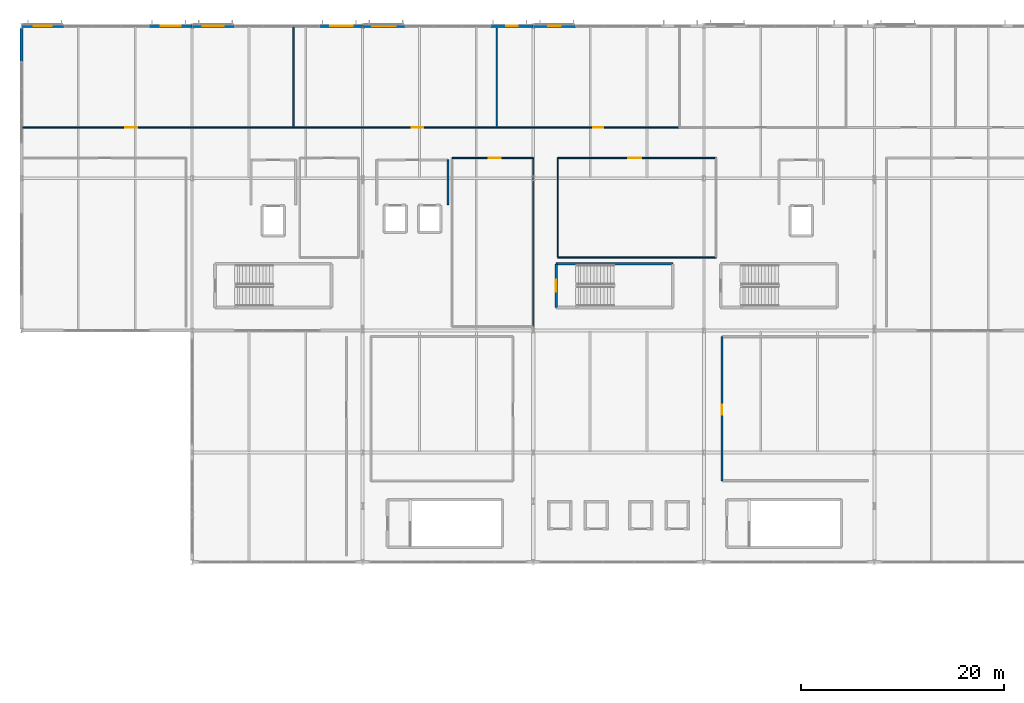
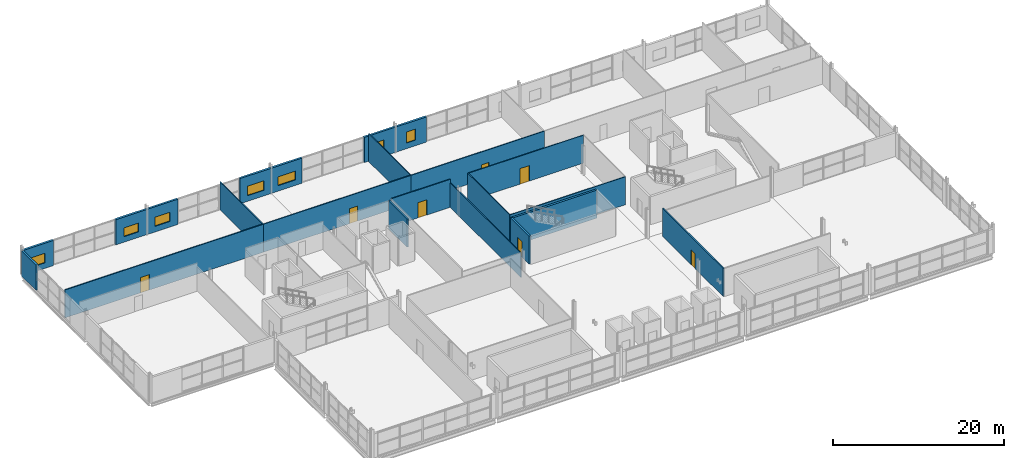
# One storey, part 32 of 39: 22 walls, 7 doors, 7 windows, 14 openings.
"""IFC4 building model written with IfcOpenShell, lengths in metres."""

from ifc_helpers import new_model, si_unit, direction, frame, frame_2d, origin, place, context, subcontext, project, spatial, rectangle, extrude, material, layer, layer_set, type_object, element, fill, save


model = new_model("IFC4")

# Units and contexts
model_context = context("Model", 3, precision=1e-05, world=origin(), true_north=direction((0.0, 1.0)))
body_context = subcontext(model_context, "Body", "Model", "MODEL_VIEW")
ifc_project = project(units=[si_unit("LENGTHUNIT", "METRE"), si_unit("AREAUNIT", "SQUARE_METRE"), si_unit("VOLUMEUNIT", "CUBIC_METRE"), si_unit("PLANEANGLEUNIT", "RADIAN"), si_unit("MASSUNIT", "GRAM", prefix="KILO")], contexts=[model_context])

# Site, building, storey
site_placement = place(None, origin())
site = spatial("IfcSite", under=ifc_project, at=site_placement, CompositionType="ELEMENT")
building_placement = place(site_placement, origin())
building = spatial("IfcBuilding", under=site, at=building_placement, Name="Kimbaza Rail Terminus", CompositionType="ELEMENT")
storey_placement = place(building_placement, frame((0.0, 0.0, 16.800048828125)))
storey = spatial("IfcBuildingStorey", under=building, at=storey_placement, Name="L03", CompositionType="ELEMENT", Elevation=16.800048828125)

# Wall, opening, window
ifc_material_1 = material(Name="Precast concrete C40/50", Category="concrete")
ifc_layer_1 = layer(ifc_material_1, 0.280029296875)
ifc_layer_set_1 = layer_set([ifc_layer_1], Name="Precast concrete C40/50")
wall_type_1 = type_object("IfcWallType", Name="ARC-WL-EXT280", PredefinedType="STANDARD", material=ifc_layer_set_1)
wall_1_placement = place(storey_placement, frame((55.199951171875, 133.0, 0.0), z_axis=(0.0, 0.0, 1.0), x_axis=(1.0, 0.0, 0.0)))
wall_1 = element("IfcWall", 1, at=wall_1_placement, inside=storey, type_object=wall_type_1, Name="Operations North Pier L03 0A", PredefinedType="STANDARD", context=body_context, shape_type="SweptSolid", body=[
    extrude(rectangle(XDim=4.199951171875, YDim=0.280029296875, at=frame_2d((2.10009765625, 0.0))), origin(), (0.0, 0.0, 1.0), 3.60498046875),
])
opening_1_placement = place(wall_1_placement, frame((1.199951171875, 0.0, 0.800048828125)))
opening_1 = element("IfcOpeningElement", 2, at=opening_1_placement, cuts=wall_1, Name="Opening W-32", PredefinedType="OPENING", context=body_context, shape_type="SweptSolid", body=[
    extrude(rectangle(XDim=1.800048828125, YDim=1.3701171875, at=frame_2d((0.89990234375, 0.68505859375))), frame((0.0, 0.14990234375, 0.0), z_axis=(0.0, -1.0, 0.0), x_axis=(1.0, 0.0, 0.0)), (0.0, 0.0, 1.0), 0.300048828125),
])
ifc_material_2 = material(Name="Thermally broken aluminium and solar low-E glass", Category="aluminium")
window_type_1 = type_object("IfcWindowType", Name="ARC-WIN-W-32", PartitioningType="SINGLE_PANEL", PredefinedType="WINDOW", material=ifc_material_2)
window_1_placement = place(opening_1_placement, origin())
window_1 = element("IfcWindow", 3, at=window_1_placement, inside=storey, type_object=window_type_1, Name="North Facade Window W-32", OverallHeight=1.3701171875, OverallWidth=1.800048828125, PartitioningType="SINGLE_PANEL", PredefinedType="WINDOW", context=body_context, shape_type="SweptSolid", body=[
    extrude(rectangle(XDim=1.800048828125, YDim=1.3701171875, at=frame_2d((0.89990234375, 0.68505859375))), frame((0.0, 0.030029296875, 0.0), z_axis=(0.0, -1.0, 0.0), x_axis=(1.0, 0.0, 0.0)), (0.0, 0.0, 1.0), 0.06005859375),
])
fill(opening_1, window_1)

wall_2_placement = place(storey_placement, frame((67.800048828125, 133.0, 0.0), z_axis=(0.0, 0.0, 1.0), x_axis=(1.0, 0.0, 0.0)))
wall_2 = element("IfcWall", 4, at=wall_2_placement, inside=storey, type_object=wall_type_1, Name="Operations North Pier L03 0B", PredefinedType="STANDARD", context=body_context, shape_type="SweptSolid", body=[
    extrude(rectangle(XDim=4.199951171875, YDim=0.280029296875, at=frame_2d((2.10009765625, 0.0))), origin(), (0.0, 0.0, 1.0), 3.60498046875),
])
opening_2_placement = place(wall_2_placement, frame((1.1298828125, 0.0, 0.800048828125)))
opening_2 = element("IfcOpeningElement", 5, at=opening_2_placement, cuts=wall_2, Name="Opening W-33", PredefinedType="OPENING", context=body_context, shape_type="SweptSolid", body=[
    extrude(rectangle(XDim=1.93994140625, YDim=1.25, at=frame_2d((0.969970703125, 0.625))), frame((0.0, 0.14990234375, 0.0), z_axis=(0.0, -1.0, 0.0), x_axis=(1.0, 0.0, 0.0)), (0.0, 0.0, 1.0), 0.300048828125),
])
ifc_material_3 = material(Name="Thermally broken aluminium and solar low-E glass", Category="aluminium")
window_type_2 = type_object("IfcWindowType", Name="ARC-WIN-W-33", PartitioningType="SINGLE_PANEL", PredefinedType="WINDOW", material=ifc_material_3)
window_2_placement = place(opening_2_placement, origin())
window_2 = element("IfcWindow", 6, at=window_2_placement, inside=storey, type_object=window_type_2, Name="North Facade Window W-33", OverallHeight=1.25, OverallWidth=1.93994140625, PartitioningType="SINGLE_PANEL", PredefinedType="WINDOW", context=body_context, shape_type="SweptSolid", body=[
    extrude(rectangle(XDim=1.93994140625, YDim=1.25, at=frame_2d((0.969970703125, 0.625))), frame((0.0, 0.030029296875, 0.0), z_axis=(0.0, -1.0, 0.0), x_axis=(1.0, 0.0, 0.0)), (0.0, 0.0, 1.0), 0.06005859375),
])
fill(opening_2, window_2)

wall_3_placement = place(storey_placement, frame((72.0, 133.0, 0.0), z_axis=(0.0, 0.0, 1.0), x_axis=(1.0, 0.0, 0.0)))
wall_3 = element("IfcWall", 7, at=wall_3_placement, inside=storey, type_object=wall_type_1, Name="Operations North Pier L03 1A", PredefinedType="STANDARD", context=body_context, shape_type="SweptSolid", body=[
    extrude(rectangle(XDim=4.199951171875, YDim=0.280029296875, at=frame_2d((2.10009765625, 0.0))), origin(), (0.0, 0.0, 1.0), 3.60498046875),
])
opening_3_placement = place(wall_3_placement, frame((1.06005859375, 0.0, 0.800048828125)))
opening_3 = element("IfcOpeningElement", 8, at=opening_3_placement, cuts=wall_3, Name="Opening W-34", PredefinedType="OPENING", context=body_context, shape_type="SweptSolid", body=[
    extrude(rectangle(XDim=2.080078125, YDim=1.31005859375, at=frame_2d((1.0400390625, 0.655029296875))), frame((0.0, 0.14990234375, 0.0), z_axis=(0.0, -1.0, 0.0), x_axis=(1.0, 0.0, 0.0)), (0.0, 0.0, 1.0), 0.300048828125),
])
ifc_material_4 = material(Name="Thermally broken aluminium and solar low-E glass", Category="aluminium")
window_type_3 = type_object("IfcWindowType", Name="ARC-WIN-W-34", PartitioningType="SINGLE_PANEL", PredefinedType="WINDOW", material=ifc_material_4)
window_3_placement = place(opening_3_placement, origin())
window_3 = element("IfcWindow", 9, at=window_3_placement, inside=storey, type_object=window_type_3, Name="North Facade Window W-34", OverallHeight=1.31005859375, OverallWidth=2.080078125, PartitioningType="SINGLE_PANEL", PredefinedType="WINDOW", context=body_context, shape_type="SweptSolid", body=[
    extrude(rectangle(XDim=2.080078125, YDim=1.31005859375, at=frame_2d((1.0400390625, 0.655029296875))), frame((0.0, 0.030029296875, 0.0), z_axis=(0.0, -1.0, 0.0), x_axis=(1.0, 0.0, 0.0)), (0.0, 0.0, 1.0), 0.06005859375),
])
fill(opening_3, window_3)

wall_4_placement = place(storey_placement, frame((84.60009765625, 133.0, 0.0), z_axis=(0.0, 0.0, 1.0), x_axis=(1.0, 0.0, 0.0)))
wall_4 = element("IfcWall", 10, at=wall_4_placement, inside=storey, type_object=wall_type_1, Name="Operations North Pier L03 1B", PredefinedType="STANDARD", context=body_context, shape_type="SweptSolid", body=[
    extrude(rectangle(XDim=4.199951171875, YDim=0.280029296875, at=frame_2d((2.10009765625, 0.0))), origin(), (0.0, 0.0, 1.0), 3.60498046875),
])
opening_4_placement = place(wall_4_placement, frame((0.989990234375, 0.0, 0.800048828125)))
opening_4 = element("IfcOpeningElement", 11, at=opening_4_placement, cuts=wall_4, Name="Opening W-35", PredefinedType="OPENING", context=body_context, shape_type="SweptSolid", body=[
    extrude(rectangle(XDim=2.219970703125, YDim=1.3701171875, at=frame_2d((1.10986328125, 0.68505859375))), frame((0.0, 0.14990234375, 0.0), z_axis=(0.0, -1.0, 0.0), x_axis=(1.0, 0.0, 0.0)), (0.0, 0.0, 1.0), 0.300048828125),
])
ifc_material_5 = material(Name="Thermally broken aluminium and solar low-E glass", Category="aluminium")
window_type_4 = type_object("IfcWindowType", Name="ARC-WIN-W-35", PartitioningType="SINGLE_PANEL", PredefinedType="WINDOW", material=ifc_material_5)
window_4_placement = place(opening_4_placement, origin())
window_4 = element("IfcWindow", 12, at=window_4_placement, inside=storey, type_object=window_type_4, Name="North Facade Window W-35", OverallHeight=1.3701171875, OverallWidth=2.219970703125, PartitioningType="SINGLE_PANEL", PredefinedType="WINDOW", context=body_context, shape_type="SweptSolid", body=[
    extrude(rectangle(XDim=2.219970703125, YDim=1.3701171875, at=frame_2d((1.10986328125, 0.68505859375))), frame((0.0, 0.030029296875, 0.0), z_axis=(0.0, -1.0, 0.0), x_axis=(1.0, 0.0, 0.0)), (0.0, 0.0, 1.0), 0.06005859375),
])
fill(opening_4, window_4)

wall_5_placement = place(storey_placement, frame((88.800048828125, 133.0, 0.0), z_axis=(0.0, 0.0, 1.0), x_axis=(1.0, 0.0, 0.0)))
wall_5 = element("IfcWall", 13, at=wall_5_placement, inside=storey, type_object=wall_type_1, Name="Operations North Pier L03 2A", PredefinedType="STANDARD", context=body_context, shape_type="SweptSolid", body=[
    extrude(rectangle(XDim=4.199951171875, YDim=0.280029296875, at=frame_2d((2.10009765625, 0.0))), origin(), (0.0, 0.0, 1.0), 3.60498046875),
])
opening_5_placement = place(wall_5_placement, frame((0.919921875, 0.0, 0.800048828125)))
opening_5 = element("IfcOpeningElement", 14, at=opening_5_placement, cuts=wall_5, Name="Opening W-36", PredefinedType="OPENING", context=body_context, shape_type="SweptSolid", body=[
    extrude(rectangle(XDim=2.360107421875, YDim=1.25, at=frame_2d((1.18017578125, 0.625))), frame((0.0, 0.14990234375, 0.0), z_axis=(0.0, -1.0, 0.0), x_axis=(1.0, 0.0, 0.0)), (0.0, 0.0, 1.0), 0.300048828125),
])
ifc_material_6 = material(Name="Thermally broken aluminium and solar low-E glass", Category="aluminium")
window_type_5 = type_object("IfcWindowType", Name="ARC-WIN-W-36", PartitioningType="SINGLE_PANEL", PredefinedType="WINDOW", material=ifc_material_6)
window_5_placement = place(opening_5_placement, origin())
window_5 = element("IfcWindow", 15, at=window_5_placement, inside=storey, type_object=window_type_5, Name="North Facade Window W-36", OverallHeight=1.25, OverallWidth=2.360107421875, PartitioningType="SINGLE_PANEL", PredefinedType="WINDOW", context=body_context, shape_type="SweptSolid", body=[
    extrude(rectangle(XDim=2.360107421875, YDim=1.25, at=frame_2d((1.18017578125, 0.625))), frame((0.0, 0.030029296875, 0.0), z_axis=(0.0, -1.0, 0.0), x_axis=(1.0, 0.0, 0.0)), (0.0, 0.0, 1.0), 0.06005859375),
])
fill(opening_5, window_5)

wall_6_placement = place(storey_placement, frame((101.39990234375, 133.0, 0.0), z_axis=(0.0, 0.0, 1.0), x_axis=(1.0, 0.0, 0.0)))
wall_6 = element("IfcWall", 16, at=wall_6_placement, inside=storey, type_object=wall_type_1, Name="Operations North Pier L03 2B", PredefinedType="STANDARD", context=body_context, shape_type="SweptSolid", body=[
    extrude(rectangle(XDim=4.2001953125, YDim=0.280029296875, at=frame_2d((2.10009765625, 0.0))), origin(), (0.0, 0.0, 1.0), 3.60498046875),
])
opening_6_placement = place(wall_6_placement, frame((1.550048828125, 0.0, 0.800048828125)))
opening_6 = element("IfcOpeningElement", 17, at=opening_6_placement, cuts=wall_6, Name="Opening W-37", PredefinedType="OPENING", context=body_context, shape_type="SweptSolid", body=[
    extrude(rectangle(XDim=1.10009765625, YDim=1.530029296875, at=frame_2d((0.550048828125, 0.76513671875))), frame((0.0, 0.14990234375, 0.0), z_axis=(0.0, -1.0, 0.0), x_axis=(1.0, 0.0, 0.0)), (0.0, 0.0, 1.0), 0.300048828125),
])
ifc_material_7 = material(Name="Thermally broken aluminium and solar low-E glass", Category="aluminium")
window_type_6 = type_object("IfcWindowType", Name="ARC-WIN-W-37", PartitioningType="SINGLE_PANEL", PredefinedType="WINDOW", material=ifc_material_7)
window_6_placement = place(opening_6_placement, origin())
window_6 = element("IfcWindow", 18, at=window_6_placement, inside=storey, type_object=window_type_6, Name="North Facade Window W-37", OverallHeight=1.530029296875, OverallWidth=1.10009765625, PartitioningType="SINGLE_PANEL", PredefinedType="WINDOW", context=body_context, shape_type="SweptSolid", body=[
    extrude(rectangle(XDim=1.10009765625, YDim=1.530029296875, at=frame_2d((0.550048828125, 0.76513671875))), frame((0.0, 0.030029296875, 0.0), z_axis=(0.0, -1.0, 0.0), x_axis=(1.0, 0.0, 0.0)), (0.0, 0.0, 1.0), 0.06005859375),
])
fill(opening_6, window_6)

wall_7_placement = place(storey_placement, frame((105.60009765625, 133.0, 0.0), z_axis=(0.0, 0.0, 1.0), x_axis=(1.0, 0.0, 0.0)))
wall_7 = element("IfcWall", 19, at=wall_7_placement, inside=storey, type_object=wall_type_1, Name="Operations North Pier L03 3A", PredefinedType="STANDARD", context=body_context, shape_type="SweptSolid", body=[
    extrude(rectangle(XDim=4.199951171875, YDim=0.280029296875, at=frame_2d((2.10009765625, 0.0))), origin(), (0.0, 0.0, 1.0), 3.60498046875),
])
opening_7_placement = place(wall_7_placement, frame((1.47998046875, 0.0, 0.800048828125)))
opening_7 = element("IfcOpeningElement", 20, at=opening_7_placement, cuts=wall_7, Name="Opening W-38", PredefinedType="OPENING", context=body_context, shape_type="SweptSolid", body=[
    extrude(rectangle(XDim=1.239990234375, YDim=1.590087890625, at=frame_2d((0.6201171875, 0.794921875))), frame((0.0, 0.14990234375, 0.0), z_axis=(0.0, -1.0, 0.0), x_axis=(1.0, 0.0, 0.0)), (0.0, 0.0, 1.0), 0.300048828125),
])
ifc_material_8 = material(Name="Thermally broken aluminium and solar low-E glass", Category="aluminium")
window_type_7 = type_object("IfcWindowType", Name="ARC-WIN-W-38", PartitioningType="SINGLE_PANEL", PredefinedType="WINDOW", material=ifc_material_8)
window_7_placement = place(opening_7_placement, origin())
window_7 = element("IfcWindow", 21, at=window_7_placement, inside=storey, type_object=window_type_7, Name="North Facade Window W-38", OverallHeight=1.590087890625, OverallWidth=1.239990234375, PartitioningType="SINGLE_PANEL", PredefinedType="WINDOW", context=body_context, shape_type="SweptSolid", body=[
    extrude(rectangle(XDim=1.239990234375, YDim=1.590087890625, at=frame_2d((0.6201171875, 0.794921875))), frame((0.0, 0.030029296875, 0.0), z_axis=(0.0, -1.0, 0.0), x_axis=(1.0, 0.0, 0.0)), (0.0, 0.0, 1.0), 0.06005859375),
])
fill(opening_7, window_7)

# Walls
wall_8_placement = place(storey_placement, frame((55.199951171875, 129.5, 0.0), z_axis=(0.0, 0.0, 1.0), x_axis=(0.0, 1.0, 0.0)))
element("IfcWall", 22, at=wall_8_placement, inside=storey, type_object=wall_type_1, Name="Operations W Corner Wall L03", PredefinedType="STANDARD", context=body_context, shape_type="SweptSolid", body=[
    extrude(rectangle(XDim=3.360107421875, YDim=0.280029296875, at=frame_2d((1.68017578125, 0.0))), origin(), (0.0, 0.0, 1.0), 3.60498046875),
])
ifc_material_9 = material(Name="Concrete blockwork C30/37", Category="masonry")
ifc_layer_2 = layer(ifc_material_9, 0.179931640625)
ifc_layer_set_2 = layer_set([ifc_layer_2], Name="Concrete blockwork C30/37")
wall_type_2 = type_object("IfcWallType", Name="ARC-WL-FIRE180", PredefinedType="PARTITIONING", material=ifc_layer_set_2)
wall_9_placement = place(storey_placement, frame((97.199951171875, 115.39990234375, 0.0), z_axis=(0.0, 0.0, 1.0), x_axis=(0.0, 1.0, 0.0)))
element("IfcWall", 23, at=wall_9_placement, inside=storey, type_object=wall_type_2, Name="Operations Lift Lobby L03 Partition (east)", PredefinedType="PARTITIONING", context=body_context, shape_type="SweptSolid", body=[
    extrude(rectangle(XDim=4.400146484375, YDim=0.179931640625, at=frame_2d((2.2001953125, 0.0))), origin(), (0.0, 0.0, 1.0), 4.0),
])
ifc_material_10 = material(Name="Demountable acoustic glass wall", Category="glass")
ifc_layer_3 = layer(ifc_material_10, 0.110107421875)
ifc_layer_set_3 = layer_set([ifc_layer_3], Name="Demountable acoustic glass wall")
wall_type_3 = type_object("IfcWallType", Name="ARC-WL-MOV110", PredefinedType="MOVABLE", material=ifc_layer_set_3)
wall_10_placement = place(storey_placement, frame((108.0, 110.199951171875, 0.0), z_axis=(0.0, 0.0, 1.0), x_axis=(1.0, 0.0, 0.0)))
element("IfcWall", 24, at=wall_10_placement, inside=storey, type_object=wall_type_3, Name="L03 Rolling Stock Rostering Studio Partition (south)", PredefinedType="MOVABLE", context=body_context, shape_type="SweptSolid", body=[
    extrude(rectangle(XDim=15.60009765625, YDim=0.110107421875, at=frame_2d((7.800048828125, 0.0))), origin(), (0.0, 0.0, 1.0), 4.0),
])

# Wall, opening, door
wall_11_placement = place(storey_placement, frame((123.60009765625, 120.0, 0.0), z_axis=(0.0, 0.0, 1.0), x_axis=(-1.0, 0.0, 0.0)))
wall_11 = element("IfcWall", 25, at=wall_11_placement, inside=storey, type_object=wall_type_3, Name="L03 Rolling Stock Rostering Studio Partition (north)", PredefinedType="MOVABLE", context=body_context, shape_type="SweptSolid", body=[
    extrude(rectangle(XDim=15.60009765625, YDim=0.110107421875, at=frame_2d((7.800048828125, 0.0))), origin(), (0.0, 0.0, 1.0), 4.0),
])
opening_8_placement = place(wall_11_placement, frame((7.360107421875, 0.0, 0.0)))
opening_8 = element("IfcOpeningElement", 26, at=opening_8_placement, cuts=wall_11, Name="Opening ID-12", PredefinedType="OPENING", context=body_context, shape_type="SweptSolid", body=[
    extrude(rectangle(XDim=1.280029296875, YDim=2.219970703125, at=frame_2d((0.64013671875, 1.10986328125))), frame((0.0, 0.06494140625, 0.0), z_axis=(0.0, -1.0, 0.0), x_axis=(1.0, 0.0, 0.0)), (0.0, 0.0, 1.0), 0.130126953125),
])
ifc_material_11 = material(Name="Engineering studio double-seal door", Category="wood")
door_type_1 = type_object("IfcDoorType", Name="ARC-DR-ID128", OperationType="NOTDEFINED", PredefinedType="DOOR", material=ifc_material_11)
door_1_placement = place(opening_8_placement, origin())
door_1 = element("IfcDoor", 27, at=door_1_placement, inside=storey, type_object=door_type_1, Name="IDR-SPC-V5S-L03-4", OperationType="SINGLE_SWING_LEFT", OverallHeight=2.219970703125, OverallWidth=1.280029296875, PredefinedType="DOOR", context=body_context, shape_type="SweptSolid", body=[
    extrude(rectangle(XDim=1.280029296875, YDim=2.219970703125, at=frame_2d((0.64013671875, 1.10986328125))), frame((0.0, 0.02490234375, 0.0), z_axis=(0.0, -1.0, 0.0), x_axis=(1.0, 0.0, 0.0)), (0.0, 0.0, 1.0), 0.050048828125),
])
fill(opening_8, door_1)

# Wall
wall_12_placement = place(storey_placement, frame((108.0, 120.0, 0.0), z_axis=(0.0, 0.0, 1.0), x_axis=(0.0, -1.0, 0.0)))
element("IfcWall", 28, at=wall_12_placement, inside=storey, type_object=wall_type_3, Name="L03 Rolling Stock Rostering Studio Partition (west)", PredefinedType="MOVABLE", context=body_context, shape_type="SweptSolid", body=[
    extrude(rectangle(XDim=9.800048828125, YDim=0.110107421875, at=frame_2d((4.89990234375, 0.0))), origin(), (0.0, 0.0, 1.0), 4.0),
])

# Wall, opening, door
ifc_material_12 = material(Name="Moisture-resistant stud wall", Category="gypsum")
ifc_layer_4 = layer(ifc_material_12, 0.1201171875)
ifc_layer_set_4 = layer_set([ifc_layer_4], Name="Moisture-resistant stud wall")
wall_type_4 = type_object("IfcWallType", Name="ARC-WL-PART120", PredefinedType="PARTITIONING", material=ifc_layer_set_4)
wall_13_placement = place(storey_placement, frame((102.0, 123.0, 0.0), z_axis=(0.0, 0.0, 1.0), x_axis=(1.0, 0.0, 0.0)))
wall_13 = element("IfcWall", 29, at=wall_13_placement, inside=storey, type_object=wall_type_4, Name="Incident Management Conferencing Suite Partition (south)", PredefinedType="PARTITIONING", context=body_context, shape_type="SweptSolid", body=[
    extrude(rectangle(XDim=18.0, YDim=0.1201171875, at=frame_2d((9.0, 0.0))), origin(), (0.0, 0.0, 1.0), 4.0),
])
opening_9_placement = place(wall_13_placement, frame((9.5, 0.0, 0.0)))
opening_9 = element("IfcOpeningElement", 30, at=opening_9_placement, cuts=wall_13, Name="Opening ID-05", PredefinedType="OPENING", context=body_context, shape_type="SweptSolid", body=[
    extrude(rectangle(XDim=1.0, YDim=2.14990234375, at=frame_2d((0.5, 1.074951171875))), frame((0.0, 0.070068359375, 0.0), z_axis=(0.0, -1.0, 0.0), x_axis=(1.0, 0.0, 0.0)), (0.0, 0.0, 1.0), 0.14013671875),
])
ifc_material_13 = material(Name="Hardwood veneer staff room door", Category="wood")
door_type_2 = type_object("IfcDoorType", Name="ARC-DR-ID100", OperationType="NOTDEFINED", PredefinedType="DOOR", material=ifc_material_13)
door_2_placement = place(opening_9_placement, origin())
door_2 = element("IfcDoor", 31, at=door_2_placement, inside=storey, type_object=door_type_2, Name="IDR-SPC-V5N-L03-03", OperationType="SINGLE_SWING_RIGHT", OverallHeight=2.14990234375, OverallWidth=1.0, PredefinedType="DOOR", context=body_context, shape_type="SweptSolid", body=[
    extrude(rectangle(XDim=1.0, YDim=2.14990234375, at=frame_2d((0.5, 1.074951171875))), frame((0.0, 0.02490234375, 0.0), z_axis=(0.0, -1.0, 0.0), x_axis=(1.0, 0.0, 0.0)), (0.0, 0.0, 1.0), 0.050048828125),
])
fill(opening_9, door_2)

# Wall
wall_14_placement = place(storey_placement, frame((105.60009765625, 103.39990234375, 0.0), z_axis=(0.0, 0.0, 1.0), x_axis=(0.0, 1.0, 0.0)))
element("IfcWall", 32, at=wall_14_placement, inside=storey, type_object=wall_type_4, Name="L03 Network Dispatch Briefing Room Partition (east)", PredefinedType="PARTITIONING", context=body_context, shape_type="SweptSolid", body=[
    extrude(rectangle(XDim=16.60009765625, YDim=0.1201171875, at=frame_2d((8.300048828125, 0.0))), origin(), (0.0, 0.0, 1.0), 3.494873046875),
])

# Wall, opening, door
wall_15_placement = place(storey_placement, frame((105.60009765625, 120.0, 0.0), z_axis=(0.0, 0.0, 1.0), x_axis=(-1.0, 0.0, 0.0)))
wall_15 = element("IfcWall", 33, at=wall_15_placement, inside=storey, type_object=wall_type_4, Name="L03 Network Dispatch Briefing Room Partition (north)", PredefinedType="PARTITIONING", context=body_context, shape_type="SweptSolid", body=[
    extrude(rectangle(XDim=8.0, YDim=0.1201171875, at=frame_2d((4.0, 0.0))), origin(), (0.0, 0.0, 1.0), 4.0),
])
opening_10_placement = place(wall_15_placement, frame((3.2099609375, 0.0, 0.0)))
opening_10 = element("IfcOpeningElement", 34, at=opening_10_placement, cuts=wall_15, Name="Opening ID-11", PredefinedType="OPENING", context=body_context, shape_type="SweptSolid", body=[
    extrude(rectangle(XDim=1.179931640625, YDim=2.179931640625, at=frame_2d((0.58984375, 1.08984375))), frame((0.0, 0.070068359375, 0.0), z_axis=(0.0, -1.0, 0.0), x_axis=(1.0, 0.0, 0.0)), (0.0, 0.0, 1.0), 0.14013671875),
])
ifc_material_14 = material(Name="Broadcast studio acoustic door", Category="wood")
door_type_3 = type_object("IfcDoorType", Name="ARC-DR-ID118", OperationType="NOTDEFINED", PredefinedType="DOOR", material=ifc_material_14)
door_3_placement = place(opening_10_placement, origin())
door_3 = element("IfcDoor", 35, at=door_3_placement, inside=storey, type_object=door_type_3, Name="IDR-SPC-V5S-L03-3", OperationType="SINGLE_SWING_RIGHT", OverallHeight=2.179931640625, OverallWidth=1.179931640625, PredefinedType="DOOR", context=body_context, shape_type="SweptSolid", body=[
    extrude(rectangle(XDim=1.179931640625, YDim=2.179931640625, at=frame_2d((0.58984375, 1.08984375))), frame((0.0, 0.02490234375, 0.0), z_axis=(0.0, -1.0, 0.0), x_axis=(1.0, 0.0, 0.0)), (0.0, 0.0, 1.0), 0.050048828125),
])
fill(opening_10, door_3)

ifc_material_15 = material(Name="Acoustic gypsum stud partition", Category="gypsum")
ifc_layer_5 = layer(ifc_material_15, 0.1298828125)
ifc_layer_set_5 = layer_set([ifc_layer_5], Name="Acoustic gypsum stud partition")
wall_type_5 = type_object("IfcWallType", Name="ARC-WL-PART130", PredefinedType="PARTITIONING", material=ifc_layer_set_5)
wall_16_placement = place(storey_placement, frame((82.0, 123.0, 0.0), z_axis=(0.0, 0.0, 1.0), x_axis=(1.0, 0.0, 0.0)))
wall_16 = element("IfcWall", 36, at=wall_16_placement, inside=storey, type_object=wall_type_5, Name="Passenger Information Broadcast Studio Partition (south)", PredefinedType="PARTITIONING", context=body_context, shape_type="SweptSolid", body=[
    extrude(rectangle(XDim=20.0, YDim=0.1298828125, at=frame_2d((10.0, 0.0))), origin(), (0.0, 0.0, 1.0), 4.0),
])
opening_11_placement = place(wall_16_placement, frame((12.75, 0.0, 0.0), z_axis=(0.0, 0.0, 1.0), x_axis=(-1.0, 0.0, 0.0)))
opening_11 = element("IfcOpeningElement", 37, at=opening_11_placement, cuts=wall_16, Name="Opening ID-04", PredefinedType="OPENING", context=body_context, shape_type="SweptSolid", body=[
    extrude(rectangle(XDim=1.10009765625, YDim=2.14990234375, at=frame_2d((0.550048828125, 1.074951171875))), frame((0.0, 0.074951171875, 0.0), z_axis=(0.0, -1.0, 0.0), x_axis=(1.0, 0.0, 0.0)), (0.0, 0.0, 1.0), 0.14990234375),
])
ifc_material_16 = material(Name="Hardwood veneer acoustic office door", Category="wood")
door_type_4 = type_object("IfcDoorType", Name="ARC-DR-ID110", OperationType="NOTDEFINED", PredefinedType="DOOR", material=ifc_material_16)
door_4_placement = place(opening_11_placement, origin())
door_4 = element("IfcDoor", 38, at=door_4_placement, inside=storey, type_object=door_type_4, Name="IDR-SPC-V5N-L03-02", OperationType="SINGLE_SWING_LEFT", OverallHeight=2.14990234375, OverallWidth=1.10009765625, PredefinedType="DOOR", context=body_context, shape_type="SweptSolid", body=[
    extrude(rectangle(XDim=1.10009765625, YDim=2.14990234375, at=frame_2d((0.550048828125, 1.074951171875))), frame((0.0, 0.02490234375, 0.0), z_axis=(0.0, -1.0, 0.0), x_axis=(1.0, 0.0, 0.0)), (0.0, 0.0, 1.0), 0.050048828125),
])
fill(opening_11, door_4)

# Wall
wall_17_placement = place(storey_placement, frame((102.0, 123.0, 0.0), z_axis=(0.0, 0.0, 1.0), x_axis=(0.0, 1.0, 0.0)))
element("IfcWall", 39, at=wall_17_placement, inside=storey, type_object=wall_type_5, Name="Passenger Information Broadcast Studio Partition (east)", PredefinedType="PARTITIONING", context=body_context, shape_type="SweptSolid", body=[
    extrude(rectangle(XDim=9.800048828125, YDim=0.1298828125, at=frame_2d((4.89990234375, 0.0))), origin(), (0.0, 0.0, 1.0), 4.0),
])

# Wall, opening, door
ifc_material_17 = material(Name="Acoustic gypsum stud partition", Category="gypsum")
ifc_layer_6 = layer(ifc_material_17, 0.139892578125)
ifc_layer_set_6 = layer_set([ifc_layer_6], Name="Acoustic gypsum stud partition")
wall_type_6 = type_object("IfcWallType", Name="ARC-WL-PART140", PredefinedType="PARTITIONING", material=ifc_layer_set_6)
wall_18_placement = place(storey_placement, frame((55.219970703125, 123.0, 0.0), z_axis=(0.0, 0.0, 1.0), x_axis=(1.0, 0.0, 0.0)))
wall_18 = element("IfcWall", 40, at=wall_18_placement, inside=storey, type_object=wall_type_6, Name="Central Railway Traffic Control Room Partition (south)", PredefinedType="PARTITIONING", context=body_context, shape_type="SweptSolid", body=[
    extrude(rectangle(XDim=26.780029296875, YDim=0.139892578125, at=frame_2d((13.39013671875, 0.0))), origin(), (0.0, 0.0, 1.0), 4.0),
])
opening_12_placement = place(wall_18_placement, frame((10.179931640625, 0.0, 0.0)))
opening_12 = element("IfcOpeningElement", 41, at=opening_12_placement, cuts=wall_18, Name="Opening ID-03", PredefinedType="OPENING", context=body_context, shape_type="SweptSolid", body=[
    extrude(rectangle(XDim=1.199951171875, YDim=2.199951171875, at=frame_2d((0.60009765625, 1.10009765625))), frame((0.0, 0.079833984375, 0.0), z_axis=(0.0, -1.0, 0.0), x_axis=(1.0, 0.0, 0.0)), (0.0, 0.0, 1.0), 0.159912109375),
])
ifc_material_18 = material(Name="Hardwood veneer acoustic room door", Category="wood")
door_type_5 = type_object("IfcDoorType", Name="ARC-DR-ID120", OperationType="NOTDEFINED", PredefinedType="DOOR", material=ifc_material_18)
door_5_placement = place(opening_12_placement, origin())
door_5 = element("IfcDoor", 42, at=door_5_placement, inside=storey, type_object=door_type_5, Name="IDR-SPC-V5N-L03-01", OperationType="SINGLE_SWING_RIGHT", OverallHeight=2.199951171875, OverallWidth=1.199951171875, PredefinedType="DOOR", context=body_context, shape_type="SweptSolid", body=[
    extrude(rectangle(XDim=1.199951171875, YDim=2.199951171875, at=frame_2d((0.60009765625, 1.10009765625))), frame((0.0, 0.02490234375, 0.0), z_axis=(0.0, -1.0, 0.0), x_axis=(1.0, 0.0, 0.0)), (0.0, 0.0, 1.0), 0.050048828125),
])
fill(opening_12, door_5)

# Wall
wall_19_placement = place(storey_placement, frame((82.0, 123.0, 0.0), z_axis=(0.0, 0.0, 1.0), x_axis=(0.0, 1.0, 0.0)))
element("IfcWall", 43, at=wall_19_placement, inside=storey, type_object=wall_type_6, Name="Central Railway Traffic Control Room Partition (east)", PredefinedType="PARTITIONING", context=body_context, shape_type="SweptSolid", body=[
    extrude(rectangle(XDim=9.97998046875, YDim=0.139892578125, at=frame_2d((4.989990234375, 0.0))), origin(), (0.0, 0.0, 1.0), 4.0),
])

# Wall, opening, door
ifc_material_19 = material(Name="Moisture-resistant blockwork C25/30", Category="masonry")
ifc_layer_7 = layer(ifc_material_19, 0.169921875)
ifc_layer_set_7 = layer_set([ifc_layer_7], Name="Moisture-resistant blockwork C25/30")
wall_type_7 = type_object("IfcWallType", Name="ARC-WL-PLMB170", PredefinedType="PLUMBINGWALL", material=ifc_layer_set_7)
wall_20_placement = place(storey_placement, frame((124.199951171875, 102.39990234375, 0.0), z_axis=(0.0, 0.0, 1.0), x_axis=(0.0, -1.0, 0.0)))
wall_20 = element("IfcWall", 44, at=wall_20_placement, inside=storey, type_object=wall_type_7, Name="Footbridge Passenger and Accessible WC Partition (west)", PredefinedType="PLUMBINGWALL", context=body_context, shape_type="SweptSolid", body=[
    extrude(rectangle(XDim=14.199951171875, YDim=0.169921875, at=frame_2d((7.10009765625, 0.0))), origin(), (0.0, 0.0, 1.0), 4.0),
])
opening_13_placement = place(wall_20_placement, frame((7.675048828125, 0.0, 0.0), z_axis=(0.0, 0.0, 1.0), x_axis=(-1.0, 0.0, 0.0)))
opening_13 = element("IfcOpeningElement", 45, at=opening_13_placement, cuts=wall_20, Name="Opening ID-06", PredefinedType="OPENING", context=body_context, shape_type="SweptSolid", body=[
    extrude(rectangle(XDim=0.949951171875, YDim=2.14990234375, at=frame_2d((0.47509765625, 1.074951171875))), frame((0.0, 0.094970703125, 0.0), z_axis=(0.0, -1.0, 0.0), x_axis=(1.0, 0.0, 0.0)), (0.0, 0.0, 1.0), 0.18994140625),
])
ifc_material_20 = material(Name="Accessible washroom outward-capable door", Category="wood")
door_type_6 = type_object("IfcDoorType", Name="ARC-DR-ID095", OperationType="NOTDEFINED", PredefinedType="DOOR", material=ifc_material_20)
door_6_placement = place(opening_13_placement, origin())
door_6 = element("IfcDoor", 46, at=door_6_placement, inside=storey, type_object=door_type_6, Name="IDR-SPC-L03-BWC", OperationType="SINGLE_SWING_RIGHT", OverallHeight=2.14990234375, OverallWidth=0.949951171875, PredefinedType="DOOR", context=body_context, shape_type="SweptSolid", body=[
    extrude(rectangle(XDim=0.949951171875, YDim=2.14990234375, at=frame_2d((0.47509765625, 1.074951171875))), frame((0.0, 0.02490234375, 0.0), z_axis=(0.0, -1.0, 0.0), x_axis=(1.0, 0.0, 0.0)), (0.0, 0.0, 1.0), 0.050048828125),
])
fill(opening_13, door_6)

# Wall
ifc_material_21 = material(Name="Concrete C40/50", Category="concrete")
ifc_layer_8 = layer(ifc_material_21, 0.280029296875)
ifc_layer_set_8 = layer_set([ifc_layer_8], Name="Concrete C40/50")
wall_type_8 = type_object("IfcWallType", Name="STR-WL-CORE280", PredefinedType="SHEAR", material=ifc_layer_set_8)
wall_21_placement = place(storey_placement, frame((119.340087890625, 109.580078125, 0.0), z_axis=(0.0, 0.0, 1.0), x_axis=(-1.0, 0.0, 0.0)))
element("IfcWall", 47, at=wall_21_placement, inside=storey, type_object=wall_type_8, Name="Operations Central Exit Stair Shaft Wall L03-3", PredefinedType="SHEAR", context=body_context, shape_type="SweptSolid", body=[
    extrude(rectangle(XDim=11.47998046875, YDim=0.280029296875, at=frame_2d((5.739990234375, 0.0))), origin(), (0.0, 0.0, 1.0), 4.0),
])

# Wall, opening, door
wall_22_placement = place(storey_placement, frame((107.860107421875, 109.580078125, 0.0), z_axis=(0.0, 0.0, 1.0), x_axis=(0.0, -1.0, 0.0)))
wall_22 = element("IfcWall", 48, at=wall_22_placement, inside=storey, type_object=wall_type_8, Name="Operations Central Exit Stair Shaft Wall L03-4", PredefinedType="SHEAR", context=body_context, shape_type="SweptSolid", body=[
    extrude(rectangle(XDim=4.320068359375, YDim=0.280029296875, at=frame_2d((2.16015625, 0.0))), origin(), (0.0, 0.0, 1.0), 4.0),
])
opening_14_placement = place(wall_22_placement, frame((1.5849609375, 0.0, 0.0)))
opening_14 = element("IfcOpeningElement", 49, at=opening_14_placement, cuts=wall_22, Name="Opening FD-03", PredefinedType="OPENING", context=body_context, shape_type="SweptSolid", body=[
    extrude(rectangle(XDim=1.14990234375, YDim=2.199951171875, at=frame_2d((0.574951171875, 1.10009765625))), frame((0.0, 0.14990234375, 0.0), z_axis=(0.0, -1.0, 0.0), x_axis=(1.0, 0.0, 0.0)), (0.0, 0.0, 1.0), 0.300048828125),
])
ifc_material_22 = material(Name="Firefighting lobby self-closing steel door", Category="steel")
door_type_7 = type_object("IfcDoorType", Name="ARC-DR-FD115", OperationType="NOTDEFINED", PredefinedType="DOOR", material=ifc_material_22)
door_7_placement = place(opening_14_placement, origin())
door_7 = element("IfcDoor", 50, at=door_7_placement, inside=storey, type_object=door_type_7, Name="SDR-ST-M1-L03", OperationType="SINGLE_SWING_LEFT", OverallHeight=2.199951171875, OverallWidth=1.14990234375, PredefinedType="DOOR", context=body_context, shape_type="SweptSolid", body=[
    extrude(rectangle(XDim=1.14990234375, YDim=2.199951171875, at=frame_2d((0.574951171875, 1.10009765625))), frame((0.0, 0.02490234375, 0.0), z_axis=(0.0, -1.0, 0.0), x_axis=(1.0, 0.0, 0.0)), (0.0, 0.0, 1.0), 0.050048828125),
])
fill(opening_14, door_7)

save(model, "model.ifc")
